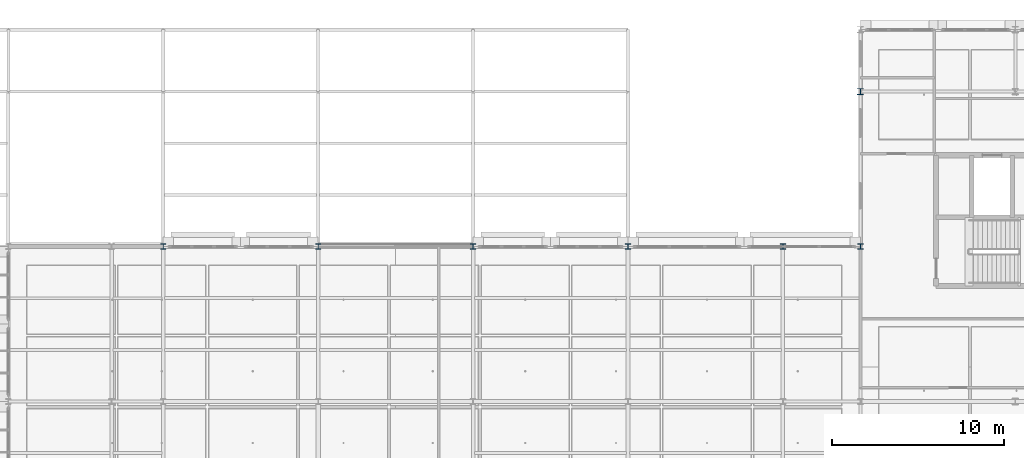
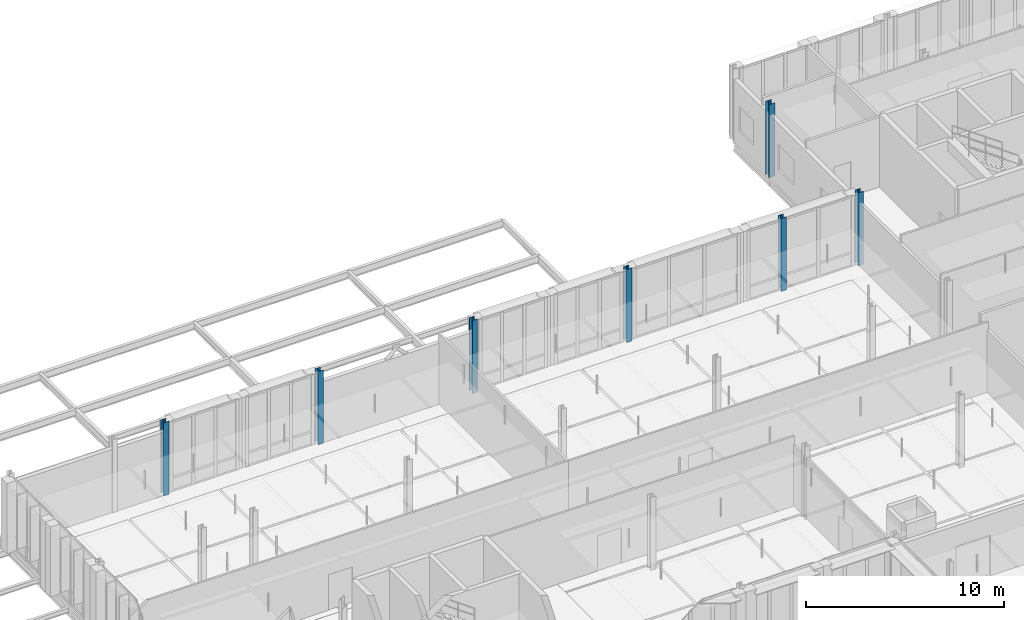
# One storey, part 15 of 140: 7 columns.
"""IFC4 building model written with IfcOpenShell, lengths in metres."""

from ifc_helpers import new_model, si_unit, direction, frame, origin, origin_2d, place, context, subcontext, project, spatial, i_section, extrude, material, material_profile, profile_set, type_object, element, save


model = new_model("IFC4")

# Units and contexts
model_context = context("Model", 3, precision=1e-05, world=origin(), true_north=direction((0.0, 1.0)))
body_context = subcontext(model_context, "Body", "Model", "MODEL_VIEW")
ifc_project = project(units=[si_unit("LENGTHUNIT", "METRE"), si_unit("AREAUNIT", "SQUARE_METRE"), si_unit("VOLUMEUNIT", "CUBIC_METRE"), si_unit("PLANEANGLEUNIT", "RADIAN"), si_unit("MASSUNIT", "GRAM", prefix="KILO"), si_unit("THERMODYNAMICTEMPERATUREUNIT", "KELVIN"), si_unit("POWERUNIT", "WATT")], contexts=[model_context])

# Site, building, storey
site_placement = place(None, origin())
site = spatial("IfcSite", under=ifc_project, at=site_placement, CompositionType="ELEMENT")
building_placement = place(site_placement, origin())
building = spatial("IfcBuilding", under=site, at=building_placement, Name="Tallowbark Science Centre", CompositionType="ELEMENT")
storey_placement = place(building_placement, frame((0.0, 0.0, 9.89990234375)))
storey = spatial("IfcBuildingStorey", under=building, at=storey_placement, Name="L02", CompositionType="ELEMENT", Elevation=9.89990234375)

# Columns
ifc_material = material(Name="Structural Steel Grade 300PLUS (300 MPa)", Category="steel")
ifc_material_profile_1 = material_profile(ifc_material, i_section(OverallWidth=0.30908203125, OverallDepth=0.320556640625, WebThickness=0.013916015625, FlangeThickness=0.021728515625, FilletRadius=0.0166015625, at=origin_2d()), Name="310UC137")
ifc_profile_set_1 = profile_set([ifc_material_profile_1], Name="Structural Steel Grade 300PLUS (300 MPa)")
column_type_1 = type_object("IfcColumnType", Name="COL-UC310B", PredefinedType="COLUMN", material=ifc_profile_set_1)
for number, where, z_axis, x_axis, name in (
    (1, (72.0, 99.0, 0.0), (0.0, 0.0, 1.0), (1.0, 0.0, 0.0), "Column LAB-3_3 L02"),
    (2, (81.0, 99.0, 0.0), (0.0, 0.0, 1.0), (1.0, 0.0, 0.0), "Column LAB-4_3 L02"),
    (3, (90.0, 99.0, 0.0), (0.0, 0.0, 1.0), (1.0, 0.0, 0.0), "Column LAB-5_3 L02"),
    (4, (99.0, 99.0, 0.0), (0.0, 0.0, 1.0), (1.0, 0.0, 0.0), "Column LAB-6_3 L02"),
    (5, (108.0, 99.0, 0.0), (0.0, 0.0, 1.0), (1.0, 0.0, 0.0), "Column LAB-7_3 L02"),
    (6, (112.5, 99.0, 0.0), (0.0, 0.0, 1.0), (1.0, 0.0, 0.0), "Column LAB-8_3 L02"),
):
    element("IfcColumn", number, at=place(storey_placement, frame(where, z_axis=z_axis, x_axis=x_axis)), inside=storey, type_object=column_type_1, Name=name, PredefinedType="COLUMN", context=body_context, shape_type="SweptSolid", body=[
        extrude(i_section(OverallWidth=0.30908203125, OverallDepth=0.320556640625, WebThickness=0.013916015625, FlangeThickness=0.021728515625, FilletRadius=0.0166015625, at=origin_2d()), origin(), (0.0, 0.0, 1.0), 4.5),
    ])
ifc_material_profile_2 = material_profile(ifc_material, i_section(OverallWidth=0.35009765625, OverallDepth=0.35888671875, WebThickness=0.01611328125, FlangeThickness=0.02392578125, FilletRadius=0.013916015625, at=origin_2d()), Name="350WC197")
ifc_profile_set_2 = profile_set([ifc_material_profile_2], Name="Structural Steel Grade 300PLUS (300 MPa)")
column_type_2 = type_object("IfcColumnType", Name="COL-WC350", PredefinedType="COLUMN", material=ifc_profile_set_2)
column_placement = place(storey_placement, frame((112.5, 108.0, 0.0), z_axis=(0.0, 0.0, 1.0), x_axis=(1.0, 0.0, 0.0)))
element("IfcColumn", 7, at=column_placement, inside=storey, type_object=column_type_2, Name="Column OBS-0_4 L02", PredefinedType="COLUMN", context=body_context, shape_type="SweptSolid", body=[
    extrude(i_section(OverallWidth=0.35009765625, OverallDepth=0.35888671875, WebThickness=0.01611328125, FlangeThickness=0.02392578125, FilletRadius=0.013916015625, at=origin_2d()), origin(), (0.0, 0.0, 1.0), 4.5),
])

save(model, "model.ifc")
